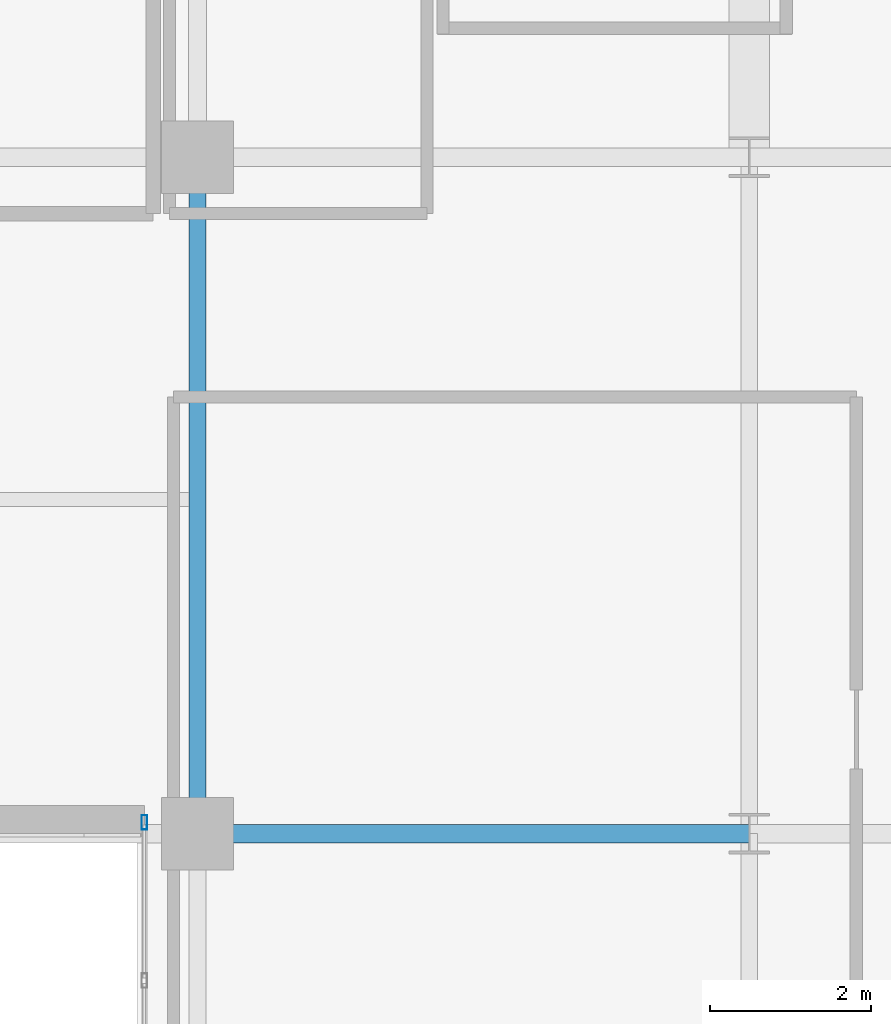
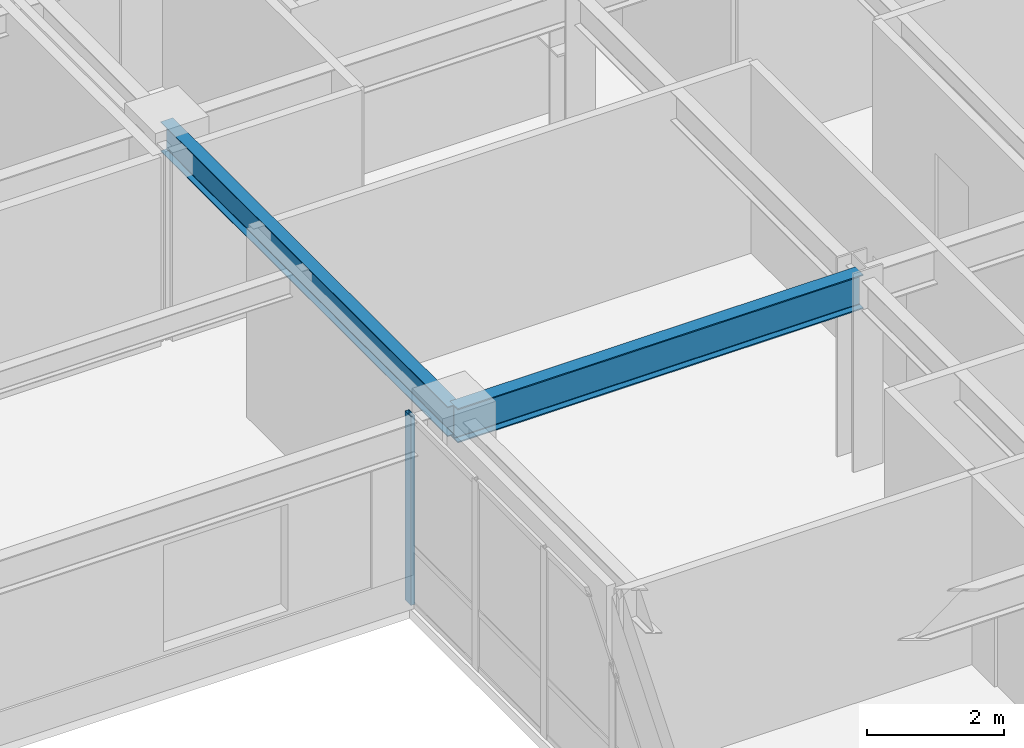
# One storey, part 11 of 24: 2 beams, 1 member, 1 element without a shape of its own.
"""IFC4 building model written with IfcOpenShell, lengths in metres."""

from ifc_helpers import new_model, si_unit, direction, frame, origin, origin_2d, place, context, subcontext, project, spatial, hollow_rectangle, i_section, extrude, source, transform, mapped, material, layer, layer_set, material_profile, profile_set, type_object, type_shapes, element, aggregate, save


model = new_model("IFC4")

# Units and contexts
model_context = context("Model", 3, precision=1e-05, world=origin(), true_north=direction((0.0, 1.0)))
body_context = subcontext(model_context, "Body", "Model", "MODEL_VIEW")
ifc_project = project(units=[si_unit("LENGTHUNIT", "METRE"), si_unit("AREAUNIT", "SQUARE_METRE"), si_unit("VOLUMEUNIT", "CUBIC_METRE"), si_unit("PLANEANGLEUNIT", "RADIAN"), si_unit("MASSUNIT", "GRAM", prefix="KILO")], contexts=[model_context])

# Site, building, storey
site_placement = place(None, origin())
site = spatial("IfcSite", under=ifc_project, at=site_placement, CompositionType="ELEMENT")
building_placement = place(site_placement, origin())
building = spatial("IfcBuilding", under=site, at=building_placement, Name="Tolvann Quenvar Hotel", CompositionType="ELEMENT")
storey_placement = place(building_placement, frame((0.0, 0.0, 139.949951171875)))
storey = spatial("IfcBuildingStorey", under=building, at=storey_placement, Name="L36", CompositionType="ELEMENT", Elevation=139.949951171875)

# Beams
ifc_material_1 = material(Name="Steel Grade 350", Category="steel")
ifc_material_profile_1 = material_profile(ifc_material_1, i_section(OverallWidth=0.22900390625, OverallDepth=0.612060546875, WebThickness=0.011962890625, FlangeThickness=0.01953125, FilletRadius=0.013916015625, at=origin_2d()), Name="610UB125")
ifc_profile_set_1 = profile_set([ifc_material_profile_1], Name="Steel Grade 350")
beam_type_1 = type_object("IfcBeamType", Name="BM_GIRD_610UB125", PredefinedType="BEAM", material=ifc_profile_set_1)
shared_shape_1 = source(origin(), body_context, "Body", "SweptSolid", [
    extrude(i_section(OverallWidth=0.22900390625, OverallDepth=0.612060546875, WebThickness=0.011962890625, FlangeThickness=0.01953125, FilletRadius=0.013916015625, at=origin_2d()), origin(), (0.0, 0.0, 1.0), 6.85009765625),
])
type_shapes(beam_type_1, [shared_shape_1])
beam_1_placement = place(storey_placement, frame((34.949951171875, 16.0, 3.06396484375), z_axis=(1.0, 0.0, 0.0), x_axis=(0.0, 1.0, 0.0)))
element("IfcBeam", 1, at=beam_1_placement, inside=storey, type_object=beam_type_1, Name="BM-L36-EW-4-F4-H4", PredefinedType="BEAM", context=body_context, shape_type="MappedRepresentation", body=[
    mapped(shared_shape_1, transform((0.0, 0.0, 0.0), x_axis=(1.0, 0.0, 0.0), y_axis=(0.0, 1.0, 0.0), z_axis=(0.0, 0.0, 1.0), scale=1.0)),
])
ifc_material_profile_2 = material_profile(ifc_material_1, i_section(OverallWidth=0.208984375, OverallDepth=0.532958984375, WebThickness=0.01025390625, FlangeThickness=0.015625, FilletRadius=0.013916015625, at=origin_2d()), Name="530UB92")
ifc_profile_set_2 = profile_set([ifc_material_profile_2], Name="Steel Grade 350")
beam_type_2 = type_object("IfcBeamType", Name="BM_GIRD_530UB92", PredefinedType="BEAM", material=ifc_profile_set_2)
shared_shape_2 = source(origin(), body_context, "Body", "SweptSolid", [
    extrude(i_section(OverallWidth=0.208984375, OverallDepth=0.532958984375, WebThickness=0.01025390625, FlangeThickness=0.015625, FilletRadius=0.013916015625, at=origin_2d()), origin(), (0.0, 0.0, 1.0), 8.39990234375),
])
type_shapes(beam_type_2, [shared_shape_2])
beam_2_placement = place(storey_placement, frame((34.949951171875, 16.0, 3.103515625), z_axis=(0.0, 1.0, 0.0), x_axis=(-1.0, 0.0, 0.0)))
element("IfcBeam", 2, at=beam_2_placement, inside=storey, type_object=beam_type_2, Name="BM-L36-NS-F4-F5", PredefinedType="BEAM", context=body_context, shape_type="MappedRepresentation", body=[
    mapped(shared_shape_2, transform((0.0, 0.0, 0.0), x_axis=(1.0, 0.0, 0.0), y_axis=(0.0, 1.0, 0.0), z_axis=(0.0, 0.0, 1.0), scale=1.0)),
])

# Curtain wall, member
ifc_material_2 = material(Name="Thermally broken anodised architectural aluminium 6063-T6 and laminated low-E glass", Category="aluminium")
ifc_layer = layer(ifc_material_2, 0.179931640625)
ifc_layer_set = layer_set([ifc_layer], Name="Thermally broken anodised architectural aluminium 6063-T6 and laminated low-E glass")
curtain_wall_type = type_object("IfcCurtainWallType", Name="CW_SYS_SLOT_03", PredefinedType="USERDEFINED", material=ifc_layer_set)
curtain_wall_placement = place(storey_placement, origin())
curtain_wall = element("IfcCurtainWall", 3, at=curtain_wall_placement, inside=storey, type_object=curtain_wall_type, Name="Curtain Wall CW-SLOT-03 (CWR-L36-E07)", ObjectType="UNITISED CURTAIN WALL", PredefinedType="USERDEFINED")
ifc_material_3 = material(Name="Anodised architectural aluminium 6063-T6 framing", Category="aluminium")
ifc_material_profile_3 = material_profile(ifc_material_3, hollow_rectangle(XDim=0.070068359375, YDim=0.179931640625, WallThickness=0.00390625, at=origin_2d()), Name="180x70x4RHS")
ifc_profile_set_3 = profile_set([ifc_material_profile_3], Name="Anodised architectural aluminium 6063-T6 framing")
member_type = type_object("IfcMemberType", Name="CW_MULL_180x70", PredefinedType="MULLION", material=ifc_profile_set_3)
shared_shape_3 = source(origin(), body_context, "Body", "SweptSolid", [
    extrude(hollow_rectangle(XDim=0.070068359375, YDim=0.179931640625, WallThickness=0.00390625, at=origin_2d()), origin(), (0.0, 0.0, 1.0), 3.3701171875),
])
type_shapes(member_type, [shared_shape_3])
member_placement = place(storey_placement, frame((34.2900390625, 16.139892578125, 0.0), z_axis=(0.0, 0.0, 1.0), x_axis=(1.0, 0.0, 0.0)))
member = element("IfcMember", 4, at=member_placement, type_object=member_type, Name="CW-SLOT-03 mullion 1", PredefinedType="MULLION", context=body_context, shape_type="MappedRepresentation", body=[
    mapped(shared_shape_3, transform((0.0, 0.0, 0.0), x_axis=(1.0, 0.0, 0.0), y_axis=(0.0, 1.0, 0.0), z_axis=(0.0, 0.0, 1.0), scale=1.0)),
])
aggregate(curtain_wall, [member])

save(model, "model.ifc")
